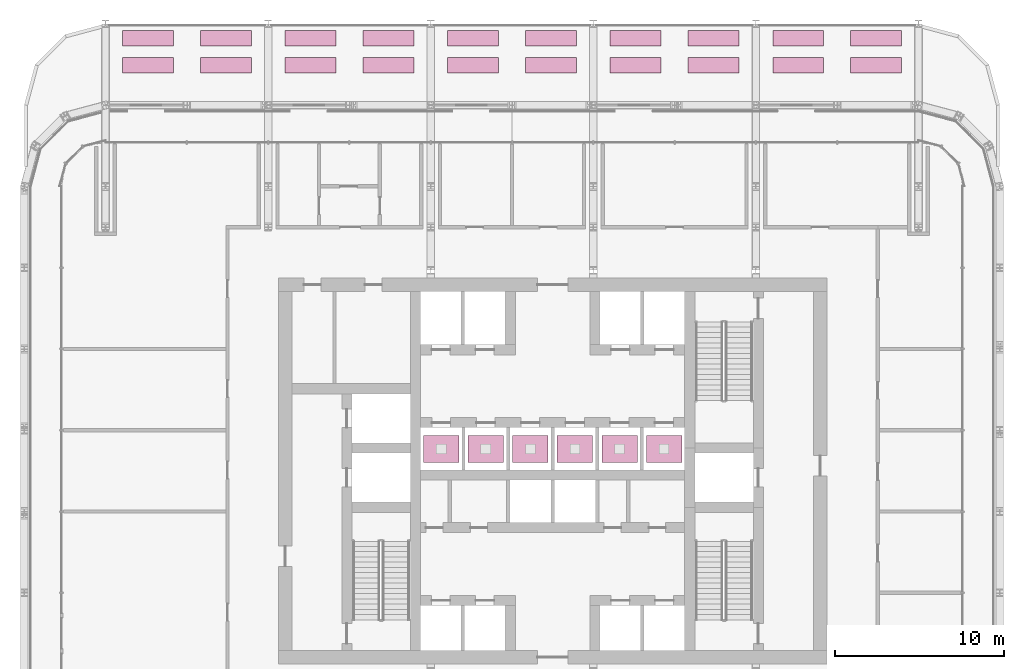
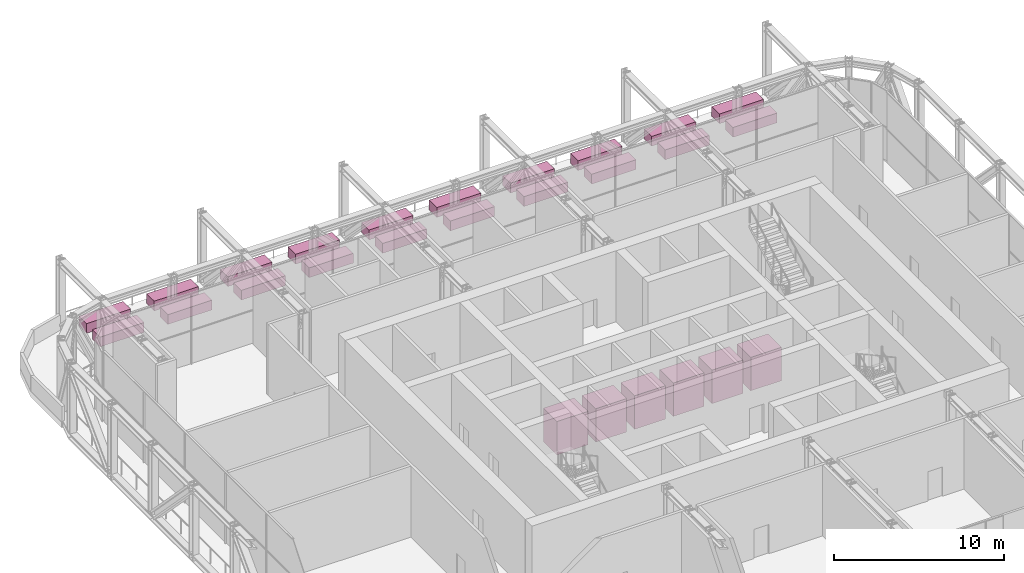
# One storey, part 27 of 27: 20 furniture elements, 6 transport elements.
"""IFC4 building model written with IfcOpenShell, lengths in metres."""

from ifc_helpers import new_model, si_unit, direction, frame, origin, origin_2d, place, context, subcontext, project, spatial, rectangle, extrude, material, type_object, element, save


model = new_model("IFC4")

# Units and contexts
model_context = context("Model", 3, precision=1e-05, world=origin(), true_north=direction((0.0, 1.0)))
body_context = subcontext(model_context, "Body", "Model", "MODEL_VIEW")
ifc_project = project(units=[si_unit("LENGTHUNIT", "METRE"), si_unit("AREAUNIT", "SQUARE_METRE"), si_unit("VOLUMEUNIT", "CUBIC_METRE"), si_unit("PLANEANGLEUNIT", "RADIAN"), si_unit("MASSUNIT", "GRAM", prefix="KILO")], contexts=[model_context])

# Site, building, storey
site_placement = place(None, origin())
site = spatial("IfcSite", under=ifc_project, at=site_placement, CompositionType="ELEMENT")
building_placement = place(site_placement, origin())
building = spatial("IfcBuilding", under=site, at=building_placement, Name="Madar Terraces", CompositionType="ELEMENT")
storey_placement = place(building_placement, frame((0.0, 0.0, 143.60009765625)))
storey = spatial("IfcBuildingStorey", under=building, at=storey_placement, Name="L37", CompositionType="ELEMENT", Elevation=143.60009765625)

# Transport elements
ifc_material_1 = material(Name="Stainless steel panel", Category="steel")
transport_element_type = type_object("IfcTransportElementType", Name="Lift car passenger 1600 kg", PredefinedType="ELEVATOR", material=ifc_material_1)
for number, where, z_axis, x_axis, name in (
    (1, (24.61669921875, 27.699951171875, 0.0), (0.0, 0.0, 1.0), (1.0, 0.0, 0.0), "LIFT HR1"),
    (2, (27.25, 27.699951171875, 0.0), (0.0, 0.0, 1.0), (1.0, 0.0, 0.0), "LIFT HR2"),
    (3, (29.88330078125, 27.699951171875, 0.0), (0.0, 0.0, 1.0), (1.0, 0.0, 0.0), "LIFT HR3"),
    (4, (32.5166015625, 27.699951171875, 0.0), (0.0, 0.0, 1.0), (1.0, 0.0, 0.0), "LIFT HR4"),
    (5, (35.14990234375, 27.699951171875, 0.0), (0.0, 0.0, 1.0), (1.0, 0.0, 0.0), "LIFT HR5"),
    (6, (37.783447265625, 27.699951171875, 0.0), (0.0, 0.0, 1.0), (1.0, 0.0, 0.0), "LIFT HR6"),
):
    element("IfcTransportElement", number, at=place(storey_placement, frame(where, z_axis=z_axis, x_axis=x_axis)), inside=storey, type_object=transport_element_type, Name=name, PredefinedType="ELEVATOR", context=body_context, shape_type="SweptSolid", body=[
        extrude(rectangle(XDim=2.10009765625, YDim=1.60009765625, at=origin_2d()), origin(), (0.0, 0.0, 1.0), 2.39990234375),
    ])

# Furniture
ifc_material_2 = material(Name="Precast concrete C30/37, planted soil", Category="concrete")
furniture_type = type_object("IfcFurnitureType", Name="Terrace planter 3000 x 900 x 700", AssemblyPlace="NOTDEFINED", PredefinedType="NOTDEFINED", material=ifc_material_2)
for number, where, z_axis, x_axis, name in (
    (7, (11.902099609375, 51.949951171875, 0.0400390625), (0.0, 0.0, 1.0), (-1.0, 0.0, 0.0), "PLANTER L37 1"),
    (8, (7.2978515625, 51.949951171875, 0.0400390625), (0.0, 0.0, 1.0), (-1.0, 0.0, 0.0), "PLANTER L37 2"),
    (9, (11.902099609375, 50.35009765625, 0.0400390625), (0.0, 0.0, 1.0), (-1.0, 0.0, 0.0), "PLANTER L37 3"),
    (10, (7.2978515625, 50.35009765625, 0.0400390625), (0.0, 0.0, 1.0), (-1.0, 0.0, 0.0), "PLANTER L37 4"),
    (11, (21.501953125, 51.949951171875, 0.0400390625), (0.0, 0.0, 1.0), (-1.0, 0.0, 0.0), "PLANTER L37 1"),
    (12, (16.89794921875, 51.949951171875, 0.0400390625), (0.0, 0.0, 1.0), (-1.0, 0.0, 0.0), "PLANTER L37 2"),
    (13, (21.501953125, 50.35009765625, 0.0400390625), (0.0, 0.0, 1.0), (-1.0, 0.0, 0.0), "PLANTER L37 3"),
    (14, (16.89794921875, 50.35009765625, 0.0400390625), (0.0, 0.0, 1.0), (-1.0, 0.0, 0.0), "PLANTER L37 4"),
    (15, (31.10205078125, 51.949951171875, 0.0400390625), (0.0, 0.0, 1.0), (-1.0, 0.0, 0.0), "PLANTER L37 1"),
    (16, (26.498046875, 51.949951171875, 0.0400390625), (0.0, 0.0, 1.0), (-1.0, 0.0, 0.0), "PLANTER L37 2"),
    (17, (31.10205078125, 50.35009765625, 0.0400390625), (0.0, 0.0, 1.0), (-1.0, 0.0, 0.0), "PLANTER L37 3"),
    (18, (26.498046875, 50.35009765625, 0.0400390625), (0.0, 0.0, 1.0), (-1.0, 0.0, 0.0), "PLANTER L37 4"),
    (19, (40.701904296875, 51.949951171875, 0.0400390625), (0.0, 0.0, 1.0), (-1.0, 0.0, 0.0), "PLANTER L37 1"),
    (20, (36.097900390625, 51.949951171875, 0.0400390625), (0.0, 0.0, 1.0), (-1.0, 0.0, 0.0), "PLANTER L37 2"),
    (21, (40.701904296875, 50.35009765625, 0.0400390625), (0.0, 0.0, 1.0), (-1.0, 0.0, 0.0), "PLANTER L37 3"),
    (22, (36.097900390625, 50.35009765625, 0.0400390625), (0.0, 0.0, 1.0), (-1.0, 0.0, 0.0), "PLANTER L37 4"),
    (23, (50.302001953125, 51.949951171875, 0.0400390625), (0.0, 0.0, 1.0), (-1.0, 0.0, 0.0), "PLANTER L37 1"),
    (24, (45.697998046875, 51.949951171875, 0.0400390625), (0.0, 0.0, 1.0), (-1.0, 0.0, 0.0), "PLANTER L37 2"),
    (25, (50.302001953125, 50.35009765625, 0.0400390625), (0.0, 0.0, 1.0), (-1.0, 0.0, 0.0), "PLANTER L37 3"),
    (26, (45.697998046875, 50.35009765625, 0.0400390625), (0.0, 0.0, 1.0), (-1.0, 0.0, 0.0), "PLANTER L37 4"),
):
    element("IfcFurniture", number, at=place(storey_placement, frame(where, z_axis=z_axis, x_axis=x_axis)), inside=storey, type_object=furniture_type, Name=name, PredefinedType="NOTDEFINED", context=body_context, shape_type="SweptSolid", body=[
        extrude(rectangle(XDim=3.0, YDim=0.89990234375, at=origin_2d()), origin(), (0.0, 0.0, 1.0), 0.699951171875),
    ])

save(model, "model.ifc")
